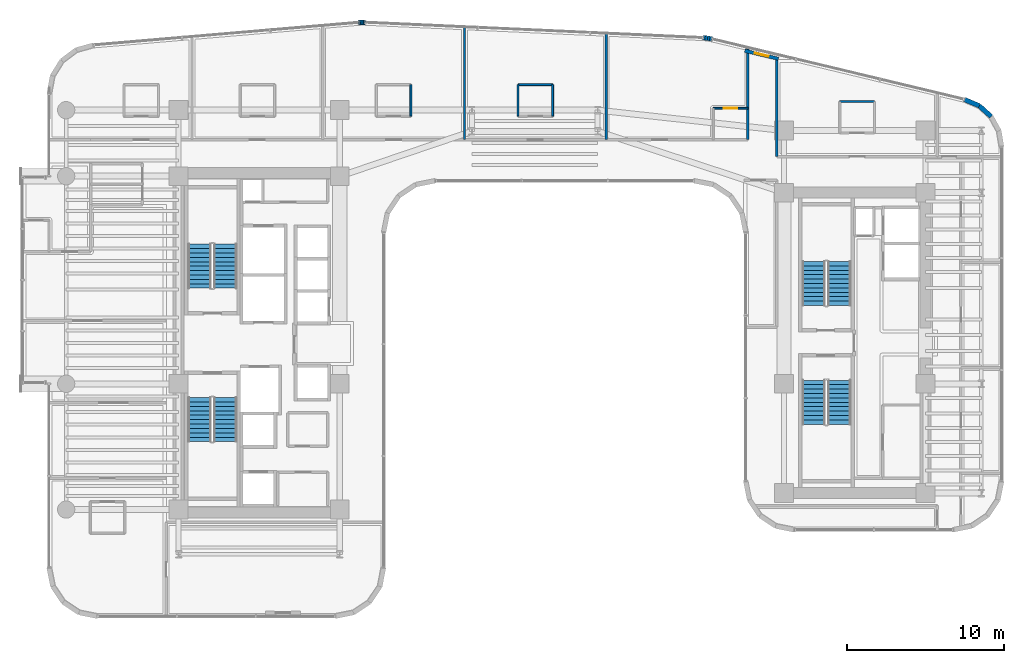
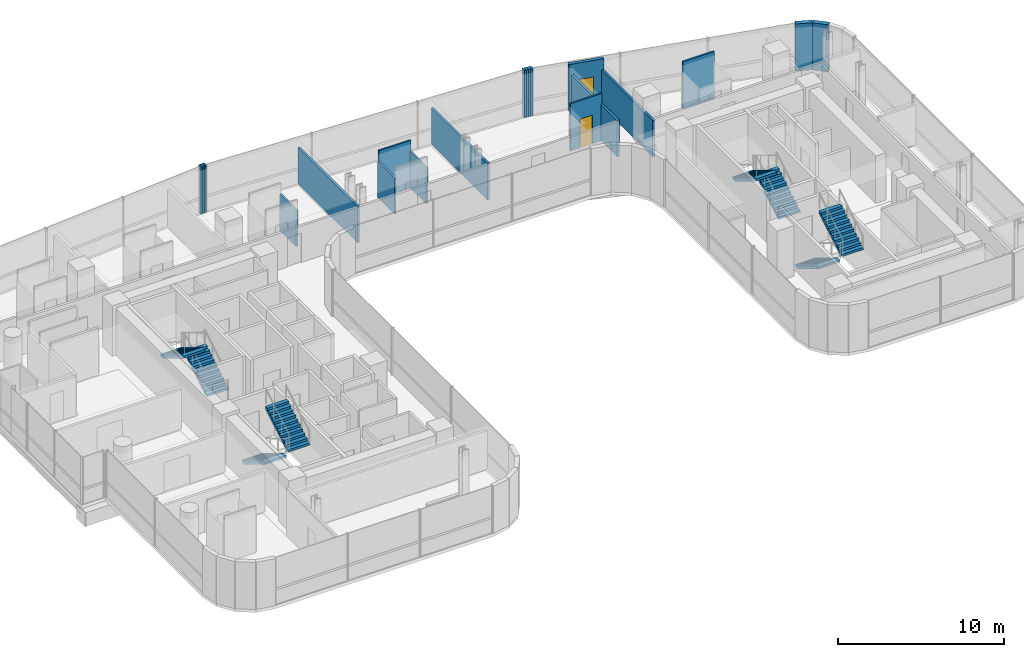
# One storey, part 30 of 35: 21 walls, 8 stair flights, 1 door, 1 window, 2 openings, 4 elements without a shape of their own.
"""IFC4 building model written with IfcOpenShell, lengths in metres."""

from ifc_helpers import new_model, si_unit, direction, frame, frame_2d, origin, place, context, subcontext, project, spatial, polyline, rectangle, outline, extrude, material, layer, layer_set, type_object, element, fill, aggregate, save


model = new_model("IFC4")

# Units and contexts
model_context = context("Model", 3, precision=1e-05, world=origin(), true_north=direction((0.0, 1.0)))
body_context = subcontext(model_context, "Body", "Model", "MODEL_VIEW")
ifc_project = project(units=[si_unit("LENGTHUNIT", "METRE"), si_unit("AREAUNIT", "SQUARE_METRE"), si_unit("VOLUMEUNIT", "CUBIC_METRE"), si_unit("PLANEANGLEUNIT", "RADIAN"), si_unit("MASSUNIT", "GRAM", prefix="KILO")], contexts=[model_context])

# Site, building, storey
site_placement = place(None, origin())
site = spatial("IfcSite", under=ifc_project, at=site_placement, CompositionType="ELEMENT")
building_placement = place(site_placement, origin())
building = spatial("IfcBuilding", under=site, at=building_placement, Name="Valdorenza Pilgrim Sanctuary Tower", CompositionType="ELEMENT")
storey_placement = place(building_placement, frame((0.0, 0.0, 113.10009765625)))
storey = spatial("IfcBuildingStorey", under=building, at=storey_placement, Name="L28", CompositionType="ELEMENT", Elevation=113.10009765625)

# Walls
ifc_material_1 = material(Name="Acoustic twin-stud gypsum partition", Category="gypsum")
ifc_layer_1 = layer(ifc_material_1, 0.159912109375, Name="Acoustic twin-stud gypsum partition")
ifc_layer_set_1 = layer_set([ifc_layer_1], Name="Acoustic twin-stud gypsum partition")
wall_type_1 = type_object("IfcWallType", Name="WAL-COR-160", PredefinedType="PARTITIONING", material=ifc_layer_set_1)
wall_1_placement = place(storey_placement, frame((13.550048828125, 12.919921875, 0.0), z_axis=(0.0, 0.0, 1.0), x_axis=(0.0, 1.0, 0.0)))
element("IfcWall", 1, at=wall_1_placement, inside=storey, type_object=wall_type_1, Name="L28 North Band East Closure", PredefinedType="PARTITIONING", context=body_context, shape_type="SweptSolid", body=[
    extrude(rectangle(XDim=5.856689453125, YDim=0.159912109375, at=frame_2d((2.92822265625, 0.0))), origin(), (0.0, 0.0, 1.0), 2.666015625),
])
wall_2_placement = place(storey_placement, frame((15.39990234375, 11.85009765625, 0.0), z_axis=(0.0, 0.0, 1.0), x_axis=(0.0, 1.0, 0.0)))
element("IfcWall", 2, at=wall_2_placement, inside=storey, type_object=wall_type_1, Name="L28 Wing B North West Wall", PredefinedType="PARTITIONING", context=body_context, shape_type="SweptSolid", body=[
    extrude(rectangle(XDim=6.14990234375, YDim=0.159912109375, at=frame_2d((3.074951171875, 0.0))), origin(), (0.0, 0.0, 1.0), 2.666015625),
])
ifc_material_2 = material(Name="Honed travertine limestone", Category="masonry")
ifc_layer_2 = layer(ifc_material_2, 0.300048828125, Name="Honed travertine limestone")
ifc_layer_set_2 = layer_set([ifc_layer_2], Name="Honed travertine limestone")
wall_type_2 = type_object("IfcWallType", Name="WAL-EXT-300", PredefinedType="SOLIDWALL", material=ifc_layer_set_2)
wall_3_placement = place(storey_placement, frame((-11.199462890625, 20.37255859375, 0.0), z_axis=(0.0, 0.0, 1.0), x_axis=(0.997567332166, 0.069709524416, 0.0)))
element("IfcWall", 3, at=wall_3_placement, inside=storey, type_object=wall_type_2, Name="L28 Rounded Wind-Corner Stone Pier 7", PredefinedType="SOLIDWALL", context=body_context, shape_type="SweptSolid", body=[
    extrude(rectangle(XDim=0.1015625, YDim=0.300048828125, at=frame_2d((0.05078125, 0.0))), origin(), (0.0, 0.0, 1.0), 3.4599609375),
])
wall_4_placement = place(storey_placement, frame((-11.09814453125, 20.379638671875, 0.0), z_axis=(0.0, 0.0, 1.0), x_axis=(0.999334672785, 0.03647206835, 0.0)))
element("IfcWall", 4, at=wall_4_placement, inside=storey, type_object=wall_type_2, Name="L28 Rounded Wind-Corner Stone Pier 8", PredefinedType="SOLIDWALL", context=body_context, shape_type="SweptSolid", body=[
    extrude(rectangle(XDim=0.100341796875, YDim=0.300048828125, at=frame_2d((0.05029296875, 0.0))), origin(), (0.0, 0.0, 1.0), 3.4599609375),
])
wall_5_placement = place(storey_placement, frame((-10.997802734375, 20.38330078125, 0.0), z_axis=(0.0, 0.0, 1.0), x_axis=(0.999997054401, 0.002427177317, 0.0)))
element("IfcWall", 5, at=wall_5_placement, inside=storey, type_object=wall_type_2, Name="L28 Rounded Wind-Corner Stone Pier 9", PredefinedType="SOLIDWALL", context=body_context, shape_type="SweptSolid", body=[
    extrude(rectangle(XDim=0.1005859375, YDim=0.300048828125, at=frame_2d((0.05029296875, 0.0))), origin(), (0.0, 0.0, 1.0), 3.4599609375),
])
wall_6_placement = place(storey_placement, frame((-10.897216796875, 20.383544921875, 0.0), z_axis=(0.0, 0.0, 1.0), x_axis=(0.999584209171, -0.02883415988, 0.0)))
element("IfcWall", 6, at=wall_6_placement, inside=storey, type_object=wall_type_2, Name="L28 Rounded Wind-Corner Stone Pier 10", PredefinedType="SOLIDWALL", context=body_context, shape_type="SweptSolid", body=[
    extrude(rectangle(XDim=0.1015625, YDim=0.300048828125, at=frame_2d((0.05078125, 0.0))), origin(), (0.0, 0.0, 1.0), 3.4599609375),
])
wall_7_placement = place(storey_placement, frame((10.68994140625, 19.404052734375, 0.0), z_axis=(0.0, 0.0, 1.0), x_axis=(0.99758310784, -0.069483400546, 0.0)))
element("IfcWall", 7, at=wall_7_placement, inside=storey, type_object=wall_type_2, Name="L28 Rounded Wind-Corner Stone Pier 12", PredefinedType="SOLIDWALL", context=body_context, shape_type="SweptSolid", body=[
    extrude(rectangle(XDim=0.1474609375, YDim=0.300048828125, at=frame_2d((0.07373046875, 0.0))), origin(), (0.0, 0.0, 1.0), 3.4599609375),
])
for number, where, z_axis, x_axis, name in (
    (8, (10.837158203125, 19.393798828125, 0.0), (0.0, 0.0, 1.0), (0.993173334962, -0.116647874912, 0.0), "L28 Rounded Wind-Corner Stone Pier 13"),
    (9, (10.982666015625, 19.376708984375, 0.0), (0.0, 0.0, 1.0), (0.986573494681, -0.163317909592, 0.0), "L28 Rounded Wind-Corner Stone Pier 14"),
):
    element("IfcWall", number, at=place(storey_placement, frame(where, z_axis=z_axis, x_axis=x_axis)), inside=storey, type_object=wall_type_2, Name=name, PredefinedType="SOLIDWALL", context=body_context, shape_type="SweptSolid", body=[
        extrude(rectangle(XDim=0.146484375, YDim=0.300048828125, at=frame_2d((0.0732421875, 0.0))), origin(), (0.0, 0.0, 1.0), 3.4599609375),
    ])
wall_8_placement = place(storey_placement, frame((11.127197265625, 19.352783203125, 0.0), z_axis=(0.0, 0.0, 1.0), x_axis=(0.978019841688, -0.208511844421, 0.0)))
element("IfcWall", 10, at=wall_8_placement, inside=storey, type_object=wall_type_2, Name="L28 Rounded Wind-Corner Stone Pier 15", PredefinedType="SOLIDWALL", context=body_context, shape_type="SweptSolid", body=[
    extrude(rectangle(XDim=0.1474609375, YDim=0.300048828125, at=frame_2d((0.07373046875, 0.0))), origin(), (0.0, 0.0, 1.0), 3.4599609375),
])

# Wall, opening, window
wall_9_placement = place(storey_placement, frame((13.355224609375, 18.576416015625, 0.0), z_axis=(0.0, 0.0, 1.0), x_axis=(0.97252211384, -0.232810519721, 0.0)))
wall_9 = element("IfcWall", 11, at=wall_9_placement, inside=storey, type_object=wall_type_2, Name="L28 Operable Ventilation Sash Jamb Pier", PredefinedType="SOLIDWALL", context=body_context, shape_type="SweptSolid", body=[
    extrude(rectangle(XDim=2.2001953125, YDim=0.219970703125, at=frame_2d((1.10009765625, 0.0))), origin(), (0.0, 0.0, 1.0), 3.4599609375),
])
opening_1_placement = place(wall_9_placement, frame((0.64990234375, 0.0, 0.949951171875)))
opening_1 = element("IfcOpeningElement", 12, at=opening_1_placement, cuts=wall_9, Name="Opening WN-OP1", PredefinedType="OPENING", context=body_context, shape_type="SweptSolid", body=[
    extrude(rectangle(XDim=0.89990234375, YDim=1.300048828125, at=frame_2d((0.449951171875, 0.64990234375))), frame((0.0, 0.125, 0.0), z_axis=(0.0, -1.0, 0.0), x_axis=(1.0, 0.0, 0.0)), (0.0, 0.0, 1.0), 0.249755859375),
])
ifc_material_3 = material(Name="Ceramic-fritted low-E IGU glazing", Category="glass")
window_type = type_object("IfcWindowType", Name="WIN-OPN-900", PartitioningType="SINGLE_PANEL", PredefinedType="WINDOW", material=ifc_material_3)
window_placement = place(opening_1_placement, origin())
window = element("IfcWindow", 13, at=window_placement, inside=storey, type_object=window_type, Name="L28 Parallel-Pop-Out Operable Facade Panel", OverallHeight=1.300048828125, OverallWidth=0.89990234375, PartitioningType="SINGLE_PANEL", PredefinedType="WINDOW", context=body_context, shape_type="SweptSolid", body=[
    extrude(rectangle(XDim=0.89990234375, YDim=1.300048828125, at=frame_2d((0.449951171875, 0.64990234375))), frame((0.0, 0.030029296875, 0.0), z_axis=(0.0, -1.0, 0.0), x_axis=(1.0, 0.0, 0.0)), (0.0, 0.0, 1.0), 0.06005859375),
])
fill(opening_1, window)

# Walls
wall_10_placement = place(storey_placement, frame((27.310302734375, 15.48291015625, 0.0), z_axis=(0.0, 0.0, 1.0), x_axis=(0.920250328759, -0.391330208927, 0.0)))
element("IfcWall", 14, at=wall_10_placement, inside=storey, type_object=wall_type_2, Name="L28 Rounded Wind-Corner Stone Pier 17", PredefinedType="SOLIDWALL", context=body_context, shape_type="SweptSolid", body=[
    extrude(rectangle(XDim=1.0361328125, YDim=0.300048828125, at=frame_2d((0.51806640625, 0.0))), origin(), (0.0, 0.0, 1.0), 3.4599609375),
])
wall_11_placement = place(storey_placement, frame((28.263916015625, 15.077392578125, 0.0), z_axis=(0.0, 0.0, 1.0), x_axis=(0.741208839713, -0.671274501178, 0.0)))
element("IfcWall", 15, at=wall_11_placement, inside=storey, type_object=wall_type_2, Name="L28 Rounded Wind-Corner Stone Pier 18", PredefinedType="SOLIDWALL", context=body_context, shape_type="SweptSolid", body=[
    extrude(rectangle(XDim=1.0263671875, YDim=0.300048828125, at=frame_2d((0.51318359375, 0.0))), origin(), (0.0, 0.0, 1.0), 3.4599609375),
])
ifc_material_4 = material(Name="Moisture-resistant gypsum partition", Category="gypsum")
ifc_layer_3 = layer(ifc_material_4, 0.1201171875, Name="Moisture-resistant gypsum partition")
ifc_layer_set_3 = layer_set([ifc_layer_3], Name="Moisture-resistant gypsum partition")
wall_type_3 = type_object("IfcWallType", Name="WAL-INT-120", PredefinedType="PARTITIONING", material=ifc_layer_set_3)
for number, where, z_axis, x_axis, name in (
    (16, (-7.875, 14.419921875, 0.0), (0.0, 0.0, 1.0), (0.0, 1.0, 0.0), "L28 North Guest Room L28-N3 En-suite East Wall"),
    (17, (-1.06494140625, 14.419921875, 0.0), (0.0, 0.0, 1.0), (0.0, 1.0, 0.0), "L28 North Guest Room L28-N4 En-suite West Wall"),
    (18, (1.135009765625, 14.419921875, 0.0), (0.0, 0.0, 1.0), (0.0, 1.0, 0.0), "L28 North Guest Room L28-N4 En-suite East Wall"),
):
    element("IfcWall", number, at=place(storey_placement, frame(where, z_axis=z_axis, x_axis=x_axis)), inside=storey, type_object=wall_type_3, Name=name, PredefinedType="PARTITIONING", context=body_context, shape_type="SweptSolid", body=[
        extrude(rectangle(XDim=2.0, YDim=0.1201171875, at=frame_2d((1.0, 0.0))), origin(), (0.0, 0.0, 1.0), 2.666015625),
    ])
wall_12_placement = place(storey_placement, frame((-1.06494140625, 16.419921875, 0.0), z_axis=(0.0, 0.0, 1.0), x_axis=(1.0, 0.0, 0.0)))
element("IfcWall", 19, at=wall_12_placement, inside=storey, type_object=wall_type_3, Name="L28 North Guest Room L28-N4 En-suite Back Wall", PredefinedType="PARTITIONING", context=body_context, shape_type="SweptSolid", body=[
    extrude(rectangle(XDim=2.199951171875, YDim=0.1201171875, at=frame_2d((1.10009765625, 0.0))), origin(), (0.0, 0.0, 1.0), 3.4599609375),
])

# Wall, opening, door
wall_13_placement = place(storey_placement, frame((11.35009765625, 14.919921875, 0.0), z_axis=(0.0, 0.0, 1.0), x_axis=(1.0, 0.0, 0.0)))
wall_13 = element("IfcWall", 20, at=wall_13_placement, inside=storey, type_object=wall_type_3, Name="L28 North Guest Room L28-N5 En-suite Door Wall", PredefinedType="PARTITIONING", context=body_context, shape_type="SweptSolid", body=[
    extrude(rectangle(XDim=2.199951171875, YDim=0.1201171875, at=frame_2d((1.10009765625, 0.0))), origin(), (0.0, 0.0, 1.0), 3.4599609375),
])
opening_2_placement = place(wall_13_placement, frame((0.675048828125, 0.0, 0.0)))
opening_2 = element("IfcOpeningElement", 21, at=opening_2_placement, cuts=wall_13, Name="Opening DR-WC1", PredefinedType="OPENING", context=body_context, shape_type="SweptSolid", body=[
    extrude(rectangle(XDim=0.85009765625, YDim=2.10009765625, at=frame_2d((0.425048828125, 1.050048828125))), frame((0.0, 0.074951171875, 0.0), z_axis=(0.0, -1.0, 0.0), x_axis=(1.0, 0.0, 0.0)), (0.0, 0.0, 1.0), 0.14990234375),
])
ifc_material_5 = material(Name="Moisture-resistant lacquered timber", Category="wood")
door_type = type_object("IfcDoorType", Name="DR-BATH-850", OperationType="NOTDEFINED", PredefinedType="DOOR", material=ifc_material_5)
door_placement = place(opening_2_placement, origin())
door = element("IfcDoor", 22, at=door_placement, inside=storey, type_object=door_type, Name="L28 North Guest Room L28-N5 En-suite Bathroom Door", OperationType="SINGLE_SWING_RIGHT", OverallHeight=2.10009765625, OverallWidth=0.85009765625, PredefinedType="DOOR", context=body_context, shape_type="SweptSolid", body=[
    extrude(rectangle(XDim=0.85009765625, YDim=2.10009765625, at=frame_2d((0.425048828125, 1.050048828125))), frame((0.0, 0.02490234375, 0.0), z_axis=(0.0, -1.0, 0.0), x_axis=(1.0, 0.0, 0.0)), (0.0, 0.0, 1.0), 0.050048828125),
])
fill(opening_2, door)

# Walls
wall_14_placement = place(storey_placement, frame((19.39990234375, 15.35009765625, 0.0), z_axis=(0.0, 0.0, 1.0), x_axis=(1.0, 0.0, 0.0)))
element("IfcWall", 23, at=wall_14_placement, inside=storey, type_object=wall_type_3, Name="L28 East North Guest Room L28-EN1 En-suite Back Wall", PredefinedType="PARTITIONING", context=body_context, shape_type="SweptSolid", body=[
    extrude(rectangle(XDim=2.2001953125, YDim=0.1201171875, at=frame_2d((1.10009765625, 0.0))), origin(), (0.0, 0.0, 1.0), 3.4599609375),
])
ifc_layer_4 = layer(ifc_material_1, 0.14990234375, Name="Acoustic twin-stud gypsum partition")
ifc_layer_set_4 = layer_set([ifc_layer_4], Name="Acoustic twin-stud gypsum partition")
wall_type_4 = type_object("IfcWallType", Name="WAL-UNT-150", PredefinedType="PARTITIONING", material=ifc_layer_set_4)
wall_15_placement = place(storey_placement, frame((-4.469970703125, 12.919921875, 0.0), z_axis=(0.0, 0.0, 1.0), x_axis=(0.0, 1.0, 0.0)))
element("IfcWall", 24, at=wall_15_placement, inside=storey, type_object=wall_type_4, Name="L28 North Demising 3", PredefinedType="PARTITIONING", context=body_context, shape_type="SweptSolid", body=[
    extrude(rectangle(XDim=7.173095703125, YDim=0.14990234375, at=frame_2d((3.58642578125, 0.0))), origin(), (0.0, 0.0, 1.0), 2.666015625),
])
wall_16_placement = place(storey_placement, frame((4.5400390625, 12.919921875, 0.0), z_axis=(0.0, 0.0, 1.0), x_axis=(0.0, 1.0, 0.0)))
element("IfcWall", 25, at=wall_16_placement, inside=storey, type_object=wall_type_4, Name="L28 North Demising 4", PredefinedType="PARTITIONING", context=body_context, shape_type="SweptSolid", body=[
    extrude(rectangle(XDim=6.763671875, YDim=0.14990234375, at=frame_2d((3.3818359375, 0.0))), origin(), (0.0, 0.0, 1.0), 2.666015625),
])

# Stair, stair flights
ifc_material_6 = material(Name="Concrete C40/50", Category="concrete")
stair_type = type_object("IfcStairType", Name="STR-DOG-CORE", PredefinedType="HALF_TURN_STAIR", material=ifc_material_6)
stair_1_placement = place(storey_placement, origin())
stair_1 = element("IfcStair", 26, at=stair_1_placement, inside=storey, type_object=stair_type, Name="L28 ST-A1", PredefinedType="HALF_TURN_STAIR")
stair_flight_type = type_object("IfcStairFlightType", Name="STF-RC-1400", PredefinedType="STRAIGHT", material=ifc_material_6)
stair_flight_1_placement = place(storey_placement, frame((-19.679931640625, 3.47998046875, 0.0), z_axis=(0.0, 0.0, 1.0), x_axis=(0.0, 1.0, 0.0)))
stair_flight_1 = element("IfcStairFlight", 27, at=stair_flight_1_placement, type_object=stair_flight_type, Name="ST-A1 flight 1", NumberOfRisers=11, NumberOfTreads=10, PredefinedType="STRAIGHT", RiserHeight=0.168181818, TreadLength=0.28, context=body_context, shape_type="SweptSolid", body=[
    extrude(outline(polyline([(0.0, 0.0), (0.0, 0.168212890625), (0.280029296875, 0.168212890625), (0.280029296875, 0.33642578125), (0.56005859375, 0.33642578125), (0.56005859375, 0.504638671875), (0.840087890625, 0.504638671875), (0.840087890625, 0.672607421875), (1.1201171875, 0.672607421875), (1.1201171875, 0.8408203125), (1.39990234375, 0.8408203125), (1.39990234375, 1.009033203125), (1.679931640625, 1.009033203125), (1.679931640625, 1.17724609375), (1.9599609375, 1.17724609375), (1.9599609375, 1.345458984375), (2.239990234375, 1.345458984375), (2.239990234375, 1.513671875), (2.52001953125, 1.513671875), (2.52001953125, 1.681884765625), (2.800048828125, 1.681884765625), (2.800048828125, 1.85009765625), (2.800048828125, 1.5068359375), (0.291015625, 0.0), (0.0, 0.0)])), frame((0.0, 0.739990234375, 0.0), z_axis=(0.0, -1.0, 0.0), x_axis=(1.0, 0.0, 0.0)), (0.0, 0.0, 1.0), 1.47998046875),
])
stair_flight_2_placement = place(storey_placement, frame((-21.31005859375, 6.280029296875, 1.849853515625), z_axis=(0.0, 0.0, 1.0), x_axis=(0.0, -1.0, 0.0)))
stair_flight_2 = element("IfcStairFlight", 28, at=stair_flight_2_placement, type_object=stair_flight_type, Name="ST-A1 flight 2", NumberOfRisers=11, NumberOfTreads=10, PredefinedType="STRAIGHT", RiserHeight=0.168181818, TreadLength=0.28, context=body_context, shape_type="SweptSolid", body=[
    extrude(outline(polyline([(0.0, 0.0), (0.0, 0.168212890625), (0.280029296875, 0.168212890625), (0.280029296875, 0.33642578125), (0.56005859375, 0.33642578125), (0.56005859375, 0.504638671875), (0.840087890625, 0.504638671875), (0.840087890625, 0.672607421875), (1.1201171875, 0.672607421875), (1.1201171875, 0.8408203125), (1.39990234375, 0.8408203125), (1.39990234375, 1.009033203125), (1.679931640625, 1.009033203125), (1.679931640625, 1.17724609375), (1.9599609375, 1.17724609375), (1.9599609375, 1.345458984375), (2.239990234375, 1.345458984375), (2.239990234375, 1.513671875), (2.52001953125, 1.513671875), (2.52001953125, 1.681884765625), (2.800048828125, 1.681884765625), (2.800048828125, 1.85009765625), (2.800048828125, 1.5068359375), (0.291015625, 0.0), (0.0, 0.0)])), frame((0.0, 0.739990234375, 0.0), z_axis=(0.0, -1.0, 0.0), x_axis=(1.0, 0.0, 0.0)), (0.0, 0.0, 1.0), 1.47998046875),
])
aggregate(stair_1, [stair_flight_1, stair_flight_2])

stair_2_placement = place(storey_placement, origin())
stair_2 = element("IfcStair", 29, at=stair_2_placement, inside=storey, type_object=stair_type, Name="L28 ST-A2", PredefinedType="HALF_TURN_STAIR")
stair_flight_3_placement = place(storey_placement, frame((-21.31005859375, -3.47998046875, 0.0), z_axis=(0.0, 0.0, 1.0), x_axis=(0.0, -1.0, 0.0)))
stair_flight_3 = element("IfcStairFlight", 30, at=stair_flight_3_placement, type_object=stair_flight_type, Name="ST-A2 flight 1", NumberOfRisers=11, NumberOfTreads=10, PredefinedType="STRAIGHT", RiserHeight=0.168181818, TreadLength=0.28, context=body_context, shape_type="SweptSolid", body=[
    extrude(outline(polyline([(0.0, 0.0), (0.0, 0.168212890625), (0.280029296875, 0.168212890625), (0.280029296875, 0.33642578125), (0.56005859375, 0.33642578125), (0.56005859375, 0.504638671875), (0.840087890625, 0.504638671875), (0.840087890625, 0.672607421875), (1.1201171875, 0.672607421875), (1.1201171875, 0.8408203125), (1.39990234375, 0.8408203125), (1.39990234375, 1.009033203125), (1.679931640625, 1.009033203125), (1.679931640625, 1.17724609375), (1.9599609375, 1.17724609375), (1.9599609375, 1.345458984375), (2.239990234375, 1.345458984375), (2.239990234375, 1.513671875), (2.52001953125, 1.513671875), (2.52001953125, 1.681884765625), (2.800048828125, 1.681884765625), (2.800048828125, 1.85009765625), (2.800048828125, 1.5068359375), (0.291015625, 0.0), (0.0, 0.0)])), frame((0.0, 0.739990234375, 0.0), z_axis=(0.0, -1.0, 0.0), x_axis=(1.0, 0.0, 0.0)), (0.0, 0.0, 1.0), 1.47998046875),
])
stair_flight_4_placement = place(storey_placement, frame((-19.679931640625, -6.280029296875, 1.849853515625), z_axis=(0.0, 0.0, 1.0), x_axis=(0.0, 1.0, 0.0)))
stair_flight_4 = element("IfcStairFlight", 31, at=stair_flight_4_placement, type_object=stair_flight_type, Name="ST-A2 flight 2", NumberOfRisers=11, NumberOfTreads=10, PredefinedType="STRAIGHT", RiserHeight=0.168181818, TreadLength=0.28, context=body_context, shape_type="SweptSolid", body=[
    extrude(outline(polyline([(0.0, 0.0), (0.0, 0.168212890625), (0.280029296875, 0.168212890625), (0.280029296875, 0.33642578125), (0.56005859375, 0.33642578125), (0.56005859375, 0.504638671875), (0.840087890625, 0.504638671875), (0.840087890625, 0.672607421875), (1.1201171875, 0.672607421875), (1.1201171875, 0.8408203125), (1.39990234375, 0.8408203125), (1.39990234375, 1.009033203125), (1.679931640625, 1.009033203125), (1.679931640625, 1.17724609375), (1.9599609375, 1.17724609375), (1.9599609375, 1.345458984375), (2.239990234375, 1.345458984375), (2.239990234375, 1.513671875), (2.52001953125, 1.513671875), (2.52001953125, 1.681884765625), (2.800048828125, 1.681884765625), (2.800048828125, 1.85009765625), (2.800048828125, 1.5068359375), (0.291015625, 0.0), (0.0, 0.0)])), frame((0.0, 0.739990234375, 0.0), z_axis=(0.0, -1.0, 0.0), x_axis=(1.0, 0.0, 0.0)), (0.0, 0.0, 1.0), 1.47998046875),
])
aggregate(stair_2, [stair_flight_3, stair_flight_4])

stair_3_placement = place(storey_placement, origin())
stair_3 = element("IfcStair", 32, at=stair_3_placement, inside=storey, type_object=stair_type, Name="L28 ST-B1", PredefinedType="HALF_TURN_STAIR")
stair_flight_5_placement = place(storey_placement, frame((19.3701171875, 2.3798828125, 0.0), z_axis=(0.0, 0.0, 1.0), x_axis=(0.0, 1.0, 0.0)))
stair_flight_5 = element("IfcStairFlight", 33, at=stair_flight_5_placement, type_object=stair_flight_type, Name="ST-B1 flight 1", NumberOfRisers=11, NumberOfTreads=10, PredefinedType="STRAIGHT", RiserHeight=0.168181818, TreadLength=0.28, context=body_context, shape_type="SweptSolid", body=[
    extrude(outline(polyline([(0.0, 0.0), (0.0, 0.168212890625), (0.280029296875, 0.168212890625), (0.280029296875, 0.33642578125), (0.56005859375, 0.33642578125), (0.56005859375, 0.504638671875), (0.840087890625, 0.504638671875), (0.840087890625, 0.672607421875), (1.1201171875, 0.672607421875), (1.1201171875, 0.8408203125), (1.39990234375, 0.8408203125), (1.39990234375, 1.009033203125), (1.679931640625, 1.009033203125), (1.679931640625, 1.17724609375), (1.9599609375, 1.17724609375), (1.9599609375, 1.345458984375), (2.239990234375, 1.345458984375), (2.239990234375, 1.513671875), (2.52001953125, 1.513671875), (2.52001953125, 1.681884765625), (2.800048828125, 1.681884765625), (2.800048828125, 1.85009765625), (2.800048828125, 1.5068359375), (0.291015625, 0.0), (0.0, 0.0)])), frame((0.0, 0.739990234375, 0.0), z_axis=(0.0, -1.0, 0.0), x_axis=(1.0, 0.0, 0.0)), (0.0, 0.0, 1.0), 1.47998046875),
])
stair_flight_6_placement = place(storey_placement, frame((17.739990234375, 5.179931640625, 1.849853515625), z_axis=(0.0, 0.0, 1.0), x_axis=(0.0, -1.0, 0.0)))
stair_flight_6 = element("IfcStairFlight", 34, at=stair_flight_6_placement, type_object=stair_flight_type, Name="ST-B1 flight 2", NumberOfRisers=11, NumberOfTreads=10, PredefinedType="STRAIGHT", RiserHeight=0.168181818, TreadLength=0.28, context=body_context, shape_type="SweptSolid", body=[
    extrude(outline(polyline([(0.0, 0.0), (0.0, 0.168212890625), (0.280029296875, 0.168212890625), (0.280029296875, 0.33642578125), (0.56005859375, 0.33642578125), (0.56005859375, 0.504638671875), (0.840087890625, 0.504638671875), (0.840087890625, 0.672607421875), (1.1201171875, 0.672607421875), (1.1201171875, 0.8408203125), (1.39990234375, 0.8408203125), (1.39990234375, 1.009033203125), (1.679931640625, 1.009033203125), (1.679931640625, 1.17724609375), (1.9599609375, 1.17724609375), (1.9599609375, 1.345458984375), (2.239990234375, 1.345458984375), (2.239990234375, 1.513671875), (2.52001953125, 1.513671875), (2.52001953125, 1.681884765625), (2.800048828125, 1.681884765625), (2.800048828125, 1.85009765625), (2.800048828125, 1.5068359375), (0.291015625, 0.0), (0.0, 0.0)])), frame((0.0, 0.739990234375, 0.0), z_axis=(0.0, -1.0, 0.0), x_axis=(1.0, 0.0, 0.0)), (0.0, 0.0, 1.0), 1.47998046875),
])
aggregate(stair_3, [stair_flight_5, stair_flight_6])

stair_4_placement = place(storey_placement, origin())
stair_4 = element("IfcStair", 35, at=stair_4_placement, inside=storey, type_object=stair_type, Name="L28 ST-B2", PredefinedType="HALF_TURN_STAIR")
stair_flight_7_placement = place(storey_placement, frame((17.739990234375, -2.3798828125, 0.0), z_axis=(0.0, 0.0, 1.0), x_axis=(0.0, -1.0, 0.0)))
stair_flight_7 = element("IfcStairFlight", 36, at=stair_flight_7_placement, type_object=stair_flight_type, Name="ST-B2 flight 1", NumberOfRisers=11, NumberOfTreads=10, PredefinedType="STRAIGHT", RiserHeight=0.168181818, TreadLength=0.28, context=body_context, shape_type="SweptSolid", body=[
    extrude(outline(polyline([(0.0, 0.0), (0.0, 0.168212890625), (0.280029296875, 0.168212890625), (0.280029296875, 0.33642578125), (0.56005859375, 0.33642578125), (0.56005859375, 0.504638671875), (0.840087890625, 0.504638671875), (0.840087890625, 0.672607421875), (1.1201171875, 0.672607421875), (1.1201171875, 0.8408203125), (1.39990234375, 0.8408203125), (1.39990234375, 1.009033203125), (1.679931640625, 1.009033203125), (1.679931640625, 1.17724609375), (1.9599609375, 1.17724609375), (1.9599609375, 1.345458984375), (2.239990234375, 1.345458984375), (2.239990234375, 1.513671875), (2.52001953125, 1.513671875), (2.52001953125, 1.681884765625), (2.800048828125, 1.681884765625), (2.800048828125, 1.85009765625), (2.800048828125, 1.5068359375), (0.291015625, 0.0), (0.0, 0.0)])), frame((0.0, 0.739990234375, 0.0), z_axis=(0.0, -1.0, 0.0), x_axis=(1.0, 0.0, 0.0)), (0.0, 0.0, 1.0), 1.47998046875),
])
stair_flight_8_placement = place(storey_placement, frame((19.3701171875, -5.179931640625, 1.849853515625), z_axis=(0.0, 0.0, 1.0), x_axis=(0.0, 1.0, 0.0)))
stair_flight_8 = element("IfcStairFlight", 37, at=stair_flight_8_placement, type_object=stair_flight_type, Name="ST-B2 flight 2", NumberOfRisers=11, NumberOfTreads=10, PredefinedType="STRAIGHT", RiserHeight=0.168181818, TreadLength=0.28, context=body_context, shape_type="SweptSolid", body=[
    extrude(outline(polyline([(0.0, 0.0), (0.0, 0.168212890625), (0.280029296875, 0.168212890625), (0.280029296875, 0.33642578125), (0.56005859375, 0.33642578125), (0.56005859375, 0.504638671875), (0.840087890625, 0.504638671875), (0.840087890625, 0.672607421875), (1.1201171875, 0.672607421875), (1.1201171875, 0.8408203125), (1.39990234375, 0.8408203125), (1.39990234375, 1.009033203125), (1.679931640625, 1.009033203125), (1.679931640625, 1.17724609375), (1.9599609375, 1.17724609375), (1.9599609375, 1.345458984375), (2.239990234375, 1.345458984375), (2.239990234375, 1.513671875), (2.52001953125, 1.513671875), (2.52001953125, 1.681884765625), (2.800048828125, 1.681884765625), (2.800048828125, 1.85009765625), (2.800048828125, 1.5068359375), (0.291015625, 0.0), (0.0, 0.0)])), frame((0.0, 0.739990234375, 0.0), z_axis=(0.0, -1.0, 0.0), x_axis=(1.0, 0.0, 0.0)), (0.0, 0.0, 1.0), 1.47998046875),
])
aggregate(stair_4, [stair_flight_7, stair_flight_8])

save(model, "model.ifc")
